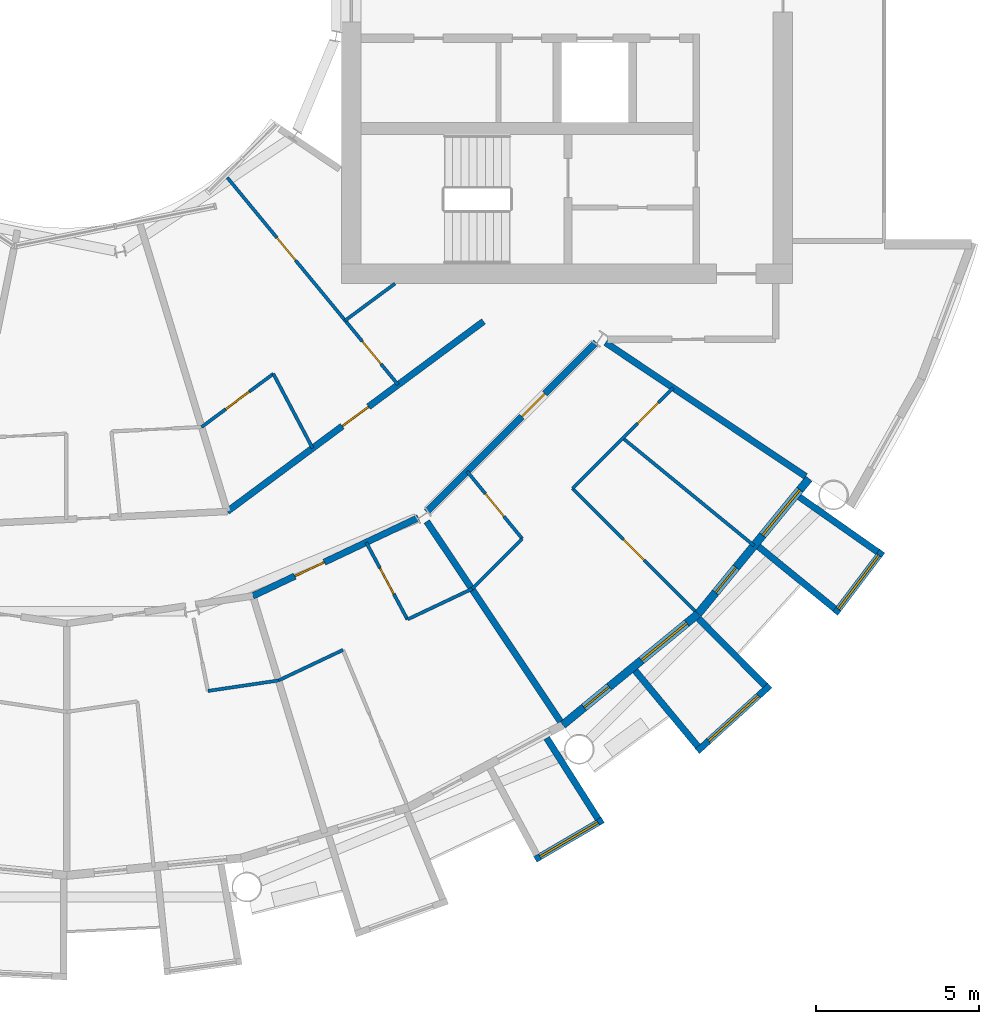
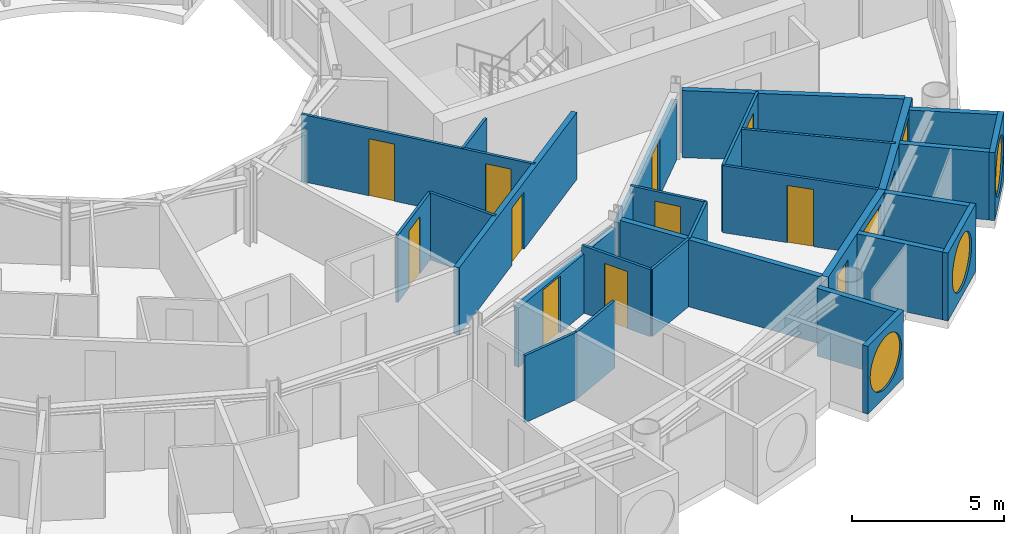
# One storey, part 17 of 27: 28 walls, 12 doors, 5 windows, 17 openings.
"""IFC4 building model written with IfcOpenShell, lengths in metres."""

from ifc_helpers import new_model, si_unit, direction, frame, frame_2d, origin, place, context, subcontext, project, spatial, rectangle, circle, extrude, material, layer, layer_set, type_object, element, fill, save


model = new_model("IFC4")

# Units and contexts
model_context = context("Model", 3, precision=1e-05, world=origin(), true_north=direction((0.0, 1.0)))
body_context = subcontext(model_context, "Body", "Model", "MODEL_VIEW")
ifc_project = project(units=[si_unit("LENGTHUNIT", "METRE"), si_unit("AREAUNIT", "SQUARE_METRE"), si_unit("VOLUMEUNIT", "CUBIC_METRE"), si_unit("PLANEANGLEUNIT", "RADIAN"), si_unit("MASSUNIT", "GRAM", prefix="KILO")], contexts=[model_context])

# Site, building, storey
site_placement = place(None, origin())
site = spatial("IfcSite", under=ifc_project, at=site_placement, CompositionType="ELEMENT")
building_placement = place(site_placement, origin())
building = spatial("IfcBuilding", under=site, at=building_placement, Name="Maasbend Ring Residences", CompositionType="ELEMENT")
storey_placement = place(building_placement, frame((0.0, 0.0, 126.89990234375)))
storey = spatial("IfcBuildingStorey", under=building, at=storey_placement, Name="L36", CompositionType="ELEMENT", Elevation=126.89990234375)

# Wall, opening, door
ifc_material_1 = material(Name="Concrete C30/37", Category="concrete")
ifc_layer_1 = layer(ifc_material_1, 0.199951171875)
ifc_layer_set_1 = layer_set([ifc_layer_1], Name="Concrete C30/37")
wall_type_1 = type_object("IfcWallType", Name="CORRIDOR WALL 200 CONCRETE", PredefinedType="PARTITIONING", material=ifc_layer_set_1)
wall_1_placement = place(storey_placement, frame((5.68994140625, -18.756103515625, 0.0), z_axis=(0.0, 0.0, 1.0), x_axis=(0.903968655954, 0.427598724335, 0.0)))
wall_1 = element("IfcWall", 1, at=wall_1_placement, inside=storey, type_object=wall_type_1, Name="U-L36-w020", PredefinedType="PARTITIONING", context=body_context, shape_type="SweptSolid", body=[
    extrude(rectangle(XDim=5.596435546875, YDim=0.199951171875, at=frame_2d((2.79833984375, 0.0))), origin(), (0.0, 0.0, 1.0), 2.39013671875),
])
opening_1_placement = place(wall_1_placement, frame((1.41796875, 0.0, 0.0)))
opening_1 = element("IfcOpeningElement", 2, at=opening_1_placement, cuts=wall_1, Name="Opening D-3645", PredefinedType="OPENING", context=body_context, shape_type="SweptSolid", body=[
    extrude(rectangle(XDim=1.0, YDim=2.300048828125, at=frame_2d((0.5, 1.14990234375))), frame((0.0, 0.10986328125, 0.0), z_axis=(0.0, -1.0, 0.0), x_axis=(1.0, 0.0, 0.0)), (0.0, 0.0, 1.0), 0.219970703125),
])
ifc_material_2 = material(Name="Timber, fire-rated, painted", Category="wood")
door_type_1 = type_object("IfcDoorType", Name="FLAT ENTRANCE DOOR 1000 X 2300 FIRE-RATED", OperationType="NOTDEFINED", PredefinedType="DOOR", material=ifc_material_2)
door_1_placement = place(opening_1_placement, origin())
door_1 = element("IfcDoor", 3, at=door_1_placement, inside=storey, type_object=door_type_1, Name="D-3645", OperationType="SINGLE_SWING_LEFT", OverallHeight=2.300048828125, OverallWidth=1.0, PredefinedType="DOOR", context=body_context, shape_type="SweptSolid", body=[
    extrude(rectangle(XDim=1.0, YDim=2.300048828125, at=frame_2d((0.5, 1.14990234375))), frame((0.0, 0.02490234375, 0.0), z_axis=(0.0, -1.0, 0.0), x_axis=(1.0, 0.0, 0.0)), (0.0, 0.0, 1.0), 0.050048828125),
])
fill(opening_1, door_1)

wall_2_placement = place(storey_placement, frame((11.0, -16.18603515625, 0.0), z_axis=(0.0, 0.0, 1.0), x_axis=(0.707106781187, 0.707106781187, 0.0)))
wall_2 = element("IfcWall", 4, at=wall_2_placement, inside=storey, type_object=wall_type_1, Name="U-L36-w022", PredefinedType="PARTITIONING", context=body_context, shape_type="SweptSolid", body=[
    extrude(rectangle(XDim=7.334228515625, YDim=0.199951171875, at=frame_2d((3.6669921875, 0.0))), origin(), (0.0, 0.0, 1.0), 2.39013671875),
])
opening_2_placement = place(wall_2_placement, frame((4.123046875, 0.0, 0.0)))
opening_2 = element("IfcOpeningElement", 5, at=opening_2_placement, cuts=wall_2, Name="Opening D-3648", PredefinedType="OPENING", context=body_context, shape_type="SweptSolid", body=[
    extrude(rectangle(XDim=1.0, YDim=2.300048828125, at=frame_2d((0.5, 1.14990234375))), frame((0.0, 0.10986328125, 0.0), z_axis=(0.0, -1.0, 0.0), x_axis=(1.0, 0.0, 0.0)), (0.0, 0.0, 1.0), 0.219970703125),
])
door_2_placement = place(opening_2_placement, origin())
door_2 = element("IfcDoor", 6, at=door_2_placement, inside=storey, type_object=door_type_1, Name="D-3648", OperationType="SINGLE_SWING_RIGHT", OverallHeight=2.300048828125, OverallWidth=1.0, PredefinedType="DOOR", context=body_context, shape_type="SweptSolid", body=[
    extrude(rectangle(XDim=1.0, YDim=2.300048828125, at=frame_2d((0.5, 1.14990234375))), frame((0.0, 0.02490234375, 0.0), z_axis=(0.0, -1.0, 0.0), x_axis=(1.0, 0.0, 0.0)), (0.0, 0.0, 1.0), 0.050048828125),
])
fill(opening_2, door_2)

wall_3_placement = place(storey_placement, frame((4.906005859375, -16.172119140625, 0.0), z_axis=(0.0, 0.0, 1.0), x_axis=(0.803191461888, 0.595720971219, 0.0)))
wall_3 = element("IfcWall", 7, at=wall_3_placement, inside=storey, type_object=wall_type_1, Name="U-L36-w024", PredefinedType="PARTITIONING", context=body_context, shape_type="SweptSolid", body=[
    extrude(rectangle(XDim=9.760009765625, YDim=0.199951171875, at=frame_2d((4.8798828125, 0.0))), origin(), (0.0, 0.0, 1.0), 2.7001953125),
])
opening_3_placement = place(wall_3_placement, frame((4.3798828125, 0.0, 0.0)))
opening_3 = element("IfcOpeningElement", 8, at=opening_3_placement, cuts=wall_3, Name="Opening D-3659", PredefinedType="OPENING", context=body_context, shape_type="SweptSolid", body=[
    extrude(rectangle(XDim=1.0, YDim=2.300048828125, at=frame_2d((0.5, 1.14990234375))), frame((0.0, 0.10986328125, 0.0), z_axis=(0.0, -1.0, 0.0), x_axis=(1.0, 0.0, 0.0)), (0.0, 0.0, 1.0), 0.219970703125),
])
door_3_placement = place(opening_3_placement, origin())
door_3 = element("IfcDoor", 9, at=door_3_placement, inside=storey, type_object=door_type_1, Name="D-3659", OperationType="SINGLE_SWING_LEFT", OverallHeight=2.300048828125, OverallWidth=1.0, PredefinedType="DOOR", context=body_context, shape_type="SweptSolid", body=[
    extrude(rectangle(XDim=1.0, YDim=2.300048828125, at=frame_2d((0.5, 1.14990234375))), frame((0.0, 0.02490234375, 0.0), z_axis=(0.0, -1.0, 0.0), x_axis=(1.0, 0.0, 0.0)), (0.0, 0.0, 1.0), 0.050048828125),
])
fill(opening_3, door_3)

# Wall, opening, window
ifc_material_3 = material(Name="Pale anodised aluminium panel", Category="aluminium")
ifc_layer_2 = layer(ifc_material_3, 0.199951171875)
ifc_layer_set_2 = layer_set([ifc_layer_2], Name="EW-BOX")
wall_type_2 = type_object("IfcWallType", Name="EW-BOX", PredefinedType="SOLIDWALL", material=ifc_layer_set_2)
wall_4_placement = place(storey_placement, frame((14.326904296875, -26.81201171875, -0.02978515625), z_axis=(0.0, 0.0, 1.0), x_axis=(0.862762477128, 0.505609442218, 0.0)))
wall_4 = element("IfcWall", 10, at=wall_4_placement, inside=storey, type_object=wall_type_2, Name="Box front S16", PredefinedType="SOLIDWALL", context=body_context, shape_type="SweptSolid", body=[
    extrude(rectangle(XDim=2.39111328125, YDim=0.199951171875, at=frame_2d((1.195556640625, 0.0))), origin(), (0.0, 0.0, 1.0), 2.72998046875),
])
opening_4_placement = place(wall_4_placement, frame((0.15576171875, 0.0, 0.330078125)))
opening_4 = element("IfcOpeningElement", 11, at=opening_4_placement, cuts=wall_4, Name="Opening W-RD", PredefinedType="OPENING", context=body_context, shape_type="SweptSolid", body=[
    extrude(circle(Radius=1.0400390625, at=frame_2d((1.0400390625, 1.0400390625))), frame((0.0, 0.10986328125, 0.0), z_axis=(0.0, -1.0, 0.0), x_axis=(1.0, 0.0, 0.0)), (0.0, 0.0, 1.0), 0.219970703125),
])
ifc_material_4 = material(Name="Aluminium and clear glass", Category="aluminium")
window_type_1 = type_object("IfcWindowType", Name="W-RD", PartitioningType="SINGLE_PANEL", PredefinedType="WINDOW", material=ifc_material_4)
window_1_placement = place(opening_4_placement, origin())
window_1 = element("IfcWindow", 12, at=window_1_placement, inside=storey, type_object=window_type_1, Name="Round window S16", OverallHeight=2.080078125, OverallWidth=2.080078125, PartitioningType="SINGLE_PANEL", PredefinedType="WINDOW", context=body_context, shape_type="SweptSolid", body=[
    extrude(circle(Radius=1.0400390625, at=frame_2d((1.0400390625, 1.0400390625))), frame((0.0, 0.030029296875, 0.0), z_axis=(0.0, -1.0, 0.0), x_axis=(1.0, 0.0, 0.0)), (0.0, 0.0, 1.0), 0.06005859375),
])
fill(opening_4, window_1)

# Wall
wall_5_placement = place(storey_placement, frame((14.677978515625, -23.10205078125, -0.02978515625), z_axis=(0.0, 0.0, 1.0), x_axis=(0.536001536573, -0.844217005746, 0.0)))
element("IfcWall", 13, at=wall_5_placement, inside=storey, type_object=wall_type_2, Name="Box side wall S16 right", PredefinedType="SOLIDWALL", context=body_context, shape_type="SweptSolid", body=[
    extrude(rectangle(XDim=2.92919921875, YDim=0.199951171875, at=frame_2d((1.464599609375, 0.0))), origin(), (0.0, 0.0, 1.0), 2.72998046875),
])

# Wall, opening, window
wall_6_placement = place(storey_placement, frame((19.281982421875, -23.5029296875, -0.02978515625), z_axis=(0.0, 0.0, 1.0), x_axis=(0.740998365753, 0.671506829416, 0.0)))
wall_6 = element("IfcWall", 14, at=wall_6_placement, inside=storey, type_object=wall_type_2, Name="Box front S18", PredefinedType="SOLIDWALL", context=body_context, shape_type="SweptSolid", body=[
    extrude(rectangle(XDim=2.9931640625, YDim=0.199951171875, at=frame_2d((1.49658203125, 0.0))), origin(), (0.0, 0.0, 1.0), 2.72998046875),
])
opening_5_placement = place(wall_6_placement, frame((0.45654296875, 0.0, 0.330078125)))
opening_5 = element("IfcOpeningElement", 15, at=opening_5_placement, cuts=wall_6, Name="Opening W-RD", PredefinedType="OPENING", context=body_context, shape_type="SweptSolid", body=[
    extrude(circle(Radius=1.0400390625, at=frame_2d((1.0400390625, 1.0400390625))), frame((0.0, 0.10986328125, 0.0), z_axis=(0.0, -1.0, 0.0), x_axis=(1.0, 0.0, 0.0)), (0.0, 0.0, 1.0), 0.219970703125),
])
window_2_placement = place(opening_5_placement, origin())
window_2 = element("IfcWindow", 16, at=window_2_placement, inside=storey, type_object=window_type_1, Name="Round window S18", OverallHeight=2.080078125, OverallWidth=2.080078125, PartitioningType="SINGLE_PANEL", PredefinedType="WINDOW", context=body_context, shape_type="SweptSolid", body=[
    extrude(circle(Radius=1.0400390625, at=frame_2d((1.0400390625, 1.0400390625))), frame((0.0, 0.030029296875, 0.0), z_axis=(0.0, -1.0, 0.0), x_axis=(1.0, 0.0, 0.0)), (0.0, 0.0, 1.0), 0.06005859375),
])
fill(opening_5, window_2)

# Walls
wall_7_placement = place(storey_placement, frame((17.384033203125, -21.041015625, -0.02978515625), z_axis=(0.0, 0.0, 1.0), x_axis=(0.63709551667, -0.770784861449, 0.0)))
element("IfcWall", 17, at=wall_7_placement, inside=storey, type_object=wall_type_2, Name="Box side wall S18 left", PredefinedType="SOLIDWALL", context=body_context, shape_type="SweptSolid", body=[
    extrude(rectangle(XDim=3.005859375, YDim=0.199951171875, at=frame_2d((1.5029296875, 0.0))), origin(), (0.0, 0.0, 1.0), 2.72998046875),
])
wall_8_placement = place(storey_placement, frame((19.322998046875, -19.449951171875, -0.02978515625), z_axis=(0.0, 0.0, 1.0), x_axis=(0.704476739375, -0.709727076896, 0.0)))
element("IfcWall", 18, at=wall_8_placement, inside=storey, type_object=wall_type_2, Name="Box side wall S18 right", PredefinedType="SOLIDWALL", context=body_context, shape_type="SweptSolid", body=[
    extrude(rectangle(XDim=2.883056640625, YDim=0.199951171875, at=frame_2d((1.44140625, 0.0))), origin(), (0.0, 0.0, 1.0), 2.72998046875),
])

# Wall, opening, window
wall_9_placement = place(storey_placement, frame((23.4970703125, -19.2890625, -0.02978515625), z_axis=(0.0, 0.0, 1.0), x_axis=(0.603375996329, 0.797456837111, 0.0)))
wall_9 = element("IfcWall", 19, at=wall_9_placement, inside=storey, type_object=wall_type_2, Name="Box front S20", PredefinedType="SOLIDWALL", context=body_context, shape_type="SweptSolid", body=[
    extrude(rectangle(XDim=2.391357421875, YDim=0.199951171875, at=frame_2d((1.19580078125, 0.0))), origin(), (0.0, 0.0, 1.0), 2.72998046875),
])
opening_6_placement = place(wall_9_placement, frame((0.15576171875, 0.0, 0.330078125)))
opening_6 = element("IfcOpeningElement", 20, at=opening_6_placement, cuts=wall_9, Name="Opening W-RD", PredefinedType="OPENING", context=body_context, shape_type="SweptSolid", body=[
    extrude(circle(Radius=1.0400390625, at=frame_2d((1.0400390625, 1.0400390625))), frame((0.0, 0.10986328125, 0.0), z_axis=(0.0, -1.0, 0.0), x_axis=(1.0, 0.0, 0.0)), (0.0, 0.0, 1.0), 0.219970703125),
])
window_3_placement = place(opening_6_placement, origin())
window_3 = element("IfcWindow", 21, at=window_3_placement, inside=storey, type_object=window_type_1, Name="Round window S20", OverallHeight=2.080078125, OverallWidth=2.080078125, PartitioningType="SINGLE_PANEL", PredefinedType="WINDOW", context=body_context, shape_type="SweptSolid", body=[
    extrude(circle(Radius=1.0400390625, at=frame_2d((1.0400390625, 1.0400390625))), frame((0.0, 0.030029296875, 0.0), z_axis=(0.0, -1.0, 0.0), x_axis=(1.0, 0.0, 0.0)), (0.0, 0.0, 1.0), 0.06005859375),
])
fill(opening_6, window_3)

# Walls
wall_10_placement = place(storey_placement, frame((21.155029296875, -17.24609375, -0.02978515625), z_axis=(0.0, 0.0, 1.0), x_axis=(0.775179004516, -0.631741648902, 0.0)))
element("IfcWall", 22, at=wall_10_placement, inside=storey, type_object=wall_type_2, Name="Box side wall S20 left", PredefinedType="SOLIDWALL", context=body_context, shape_type="SweptSolid", body=[
    extrude(rectangle(XDim=3.005859375, YDim=0.199951171875, at=frame_2d((1.5029296875, 0.0))), origin(), (0.0, 0.0, 1.0), 2.72998046875),
])
wall_11_placement = place(storey_placement, frame((22.402099609375, -15.72607421875, -0.02978515625), z_axis=(0.0, 0.0, 1.0), x_axis=(0.818275399393, -0.574826383135, 0.0)))
element("IfcWall", 23, at=wall_11_placement, inside=storey, type_object=wall_type_2, Name="Box side wall S20 right", PredefinedType="SOLIDWALL", context=body_context, shape_type="SweptSolid", body=[
    extrude(rectangle(XDim=2.92919921875, YDim=0.199951171875, at=frame_2d((1.464599609375, 0.0))), origin(), (0.0, 0.0, 1.0), 2.72998046875),
])

# Wall, openings, door, window
ifc_material_5 = material(Name="Aluminium clad insulated panel", Category="aluminium")
ifc_layer_3 = layer(ifc_material_5, 0.25)
ifc_layer_set_3 = layer_set([ifc_layer_3], Name="EW-GL")
wall_type_3 = type_object("IfcWallType", Name="EW-GL", PredefinedType="SOLIDWALL", material=ifc_layer_set_3)
wall_12_placement = place(storey_placement, frame((15.1669921875, -22.698974609375, 0.0), z_axis=(0.0, 0.0, 1.0), x_axis=(0.773019449054, 0.634382322723, 0.0)))
wall_12 = element("IfcWall", 24, at=wall_12_placement, inside=storey, type_object=wall_type_3, Name="External wall S09", PredefinedType="SOLIDWALL", context=body_context, shape_type="SweptSolid", body=[
    extrude(rectangle(XDim=5.351806640625, YDim=0.25, at=frame_2d((2.67578125, 0.0))), origin(), (0.0, 0.0, 1.0), 2.7001953125),
])
opening_7_placement = place(wall_12_placement, frame((0.841064453125, 0.0, 0.0)))
opening_7 = element("IfcOpeningElement", 25, at=opening_7_placement, cuts=wall_12, Name="Opening D-LG", PredefinedType="OPENING", context=body_context, shape_type="SweptSolid", body=[
    extrude(rectangle(XDim=1.0, YDim=2.199951171875, at=frame_2d((0.5, 1.10009765625))), frame((0.0, 0.135009765625, 0.0), z_axis=(0.0, -1.0, 0.0), x_axis=(1.0, 0.0, 0.0)), (0.0, 0.0, 1.0), 0.27001953125),
])
opening_8_placement = place(wall_12_placement, frame((3.110595703125, 0.0, 0.300048828125)))
opening_8 = element("IfcOpeningElement", 26, at=opening_8_placement, cuts=wall_12, Name="Opening W-BX", PredefinedType="OPENING", context=body_context, shape_type="SweptSolid", body=[
    extrude(rectangle(XDim=1.800048828125, YDim=2.10009765625, at=frame_2d((0.89990234375, 1.050048828125))), frame((0.0, 0.135009765625, 0.0), z_axis=(0.0, -1.0, 0.0), x_axis=(1.0, 0.0, 0.0)), (0.0, 0.0, 1.0), 0.27001953125),
])
ifc_material_6 = material(Name="Aluminium and clear glass", Category="aluminium")
door_type_2 = type_object("IfcDoorType", Name="D-LG", OperationType="SINGLE_SWING_LEFT", PredefinedType="DOOR", material=ifc_material_6)
door_4_placement = place(opening_7_placement, origin())
door_4 = element("IfcDoor", 27, at=door_4_placement, inside=storey, type_object=door_type_2, Name="Loggia door S17", OperationType="SINGLE_SWING_LEFT", OverallHeight=2.199951171875, OverallWidth=1.0, PredefinedType="DOOR", context=body_context, shape_type="SweptSolid", body=[
    extrude(rectangle(XDim=1.0, YDim=2.199951171875, at=frame_2d((0.5, 1.10009765625))), frame((0.0, 0.02490234375, 0.0), z_axis=(0.0, -1.0, 0.0), x_axis=(1.0, 0.0, 0.0)), (0.0, 0.0, 1.0), 0.050048828125),
])
fill(opening_7, door_4)
ifc_material_7 = material(Name="Aluminium and clear glass", Category="aluminium")
window_type_2 = type_object("IfcWindowType", Name="W-BX", PartitioningType="DOUBLE_PANEL_VERTICAL", PredefinedType="WINDOW", material=ifc_material_7)
window_4_placement = place(opening_8_placement, origin())
window_4 = element("IfcWindow", 28, at=window_4_placement, inside=storey, type_object=window_type_2, Name="Window S18 room to box", OverallHeight=2.10009765625, OverallWidth=1.800048828125, PartitioningType="SINGLE_PANEL", PredefinedType="WINDOW", context=body_context, shape_type="SweptSolid", body=[
    extrude(rectangle(XDim=1.800048828125, YDim=2.10009765625, at=frame_2d((0.89990234375, 1.050048828125))), frame((0.0, 0.030029296875, 0.0), z_axis=(0.0, -1.0, 0.0), x_axis=(1.0, 0.0, 0.0)), (0.0, 0.0, 1.0), 0.06005859375),
])
fill(opening_8, window_4)

wall_13_placement = place(storey_placement, frame((19.303955078125, -19.303955078125, 0.0), z_axis=(0.0, 0.0, 1.0), x_axis=(0.634382322723, 0.773019449054, 0.0)))
wall_13 = element("IfcWall", 29, at=wall_13_placement, inside=storey, type_object=wall_type_3, Name="External wall S10", PredefinedType="SOLIDWALL", context=body_context, shape_type="SweptSolid", body=[
    extrude(rectangle(XDim=5.351806640625, YDim=0.25, at=frame_2d((2.67578125, 0.0))), origin(), (0.0, 0.0, 1.0), 2.7001953125),
])
opening_9_placement = place(wall_13_placement, frame((0.841064453125, 0.0, 0.0)))
opening_9 = element("IfcOpeningElement", 30, at=opening_9_placement, cuts=wall_13, Name="Opening D-LG", PredefinedType="OPENING", context=body_context, shape_type="SweptSolid", body=[
    extrude(rectangle(XDim=1.0, YDim=2.199951171875, at=frame_2d((0.5, 1.10009765625))), frame((0.0, 0.135009765625, 0.0), z_axis=(0.0, -1.0, 0.0), x_axis=(1.0, 0.0, 0.0)), (0.0, 0.0, 1.0), 0.27001953125),
])
opening_10_placement = place(wall_13_placement, frame((3.110595703125, 0.0, 0.300048828125)))
opening_10 = element("IfcOpeningElement", 31, at=opening_10_placement, cuts=wall_13, Name="Opening W-BX", PredefinedType="OPENING", context=body_context, shape_type="SweptSolid", body=[
    extrude(rectangle(XDim=1.800048828125, YDim=2.10009765625, at=frame_2d((0.89990234375, 1.050048828125))), frame((0.0, 0.135009765625, 0.0), z_axis=(0.0, -1.0, 0.0), x_axis=(1.0, 0.0, 0.0)), (0.0, 0.0, 1.0), 0.27001953125),
])
door_5_placement = place(opening_9_placement, origin())
door_5 = element("IfcDoor", 32, at=door_5_placement, inside=storey, type_object=door_type_2, Name="Loggia door S19", OperationType="SINGLE_SWING_LEFT", OverallHeight=2.199951171875, OverallWidth=1.0, PredefinedType="DOOR", context=body_context, shape_type="SweptSolid", body=[
    extrude(rectangle(XDim=1.0, YDim=2.199951171875, at=frame_2d((0.5, 1.10009765625))), frame((0.0, 0.02490234375, 0.0), z_axis=(0.0, -1.0, 0.0), x_axis=(1.0, 0.0, 0.0)), (0.0, 0.0, 1.0), 0.050048828125),
])
fill(opening_9, door_5)
window_5_placement = place(opening_10_placement, origin())
window_5 = element("IfcWindow", 33, at=window_5_placement, inside=storey, type_object=window_type_2, Name="Window S20 room to box", OverallHeight=2.10009765625, OverallWidth=1.800048828125, PartitioningType="SINGLE_PANEL", PredefinedType="WINDOW", context=body_context, shape_type="SweptSolid", body=[
    extrude(rectangle(XDim=1.800048828125, YDim=2.10009765625, at=frame_2d((0.89990234375, 1.050048828125))), frame((0.0, 0.030029296875, 0.0), z_axis=(0.0, -1.0, 0.0), x_axis=(1.0, 0.0, 0.0)), (0.0, 0.0, 1.0), 0.06005859375),
])
fill(opening_10, window_5)

# Walls
ifc_material_8 = material(Name="Gypsum board on steel studs", Category="steel")
ifc_layer_4 = layer(ifc_material_8, 0.10009765625)
ifc_layer_set_4 = layer_set([ifc_layer_4], Name="PARTITION 100 GYPSUM")
wall_type_4 = type_object("IfcWallType", Name="PARTITION 100 GYPSUM", PredefinedType="PARTITIONING", material=ifc_layer_set_4)
wall_14_placement = place(storey_placement, frame((4.31591796875, -21.659912109375, 0.0), z_axis=(0.0, 0.0, 1.0), x_axis=(0.989185420695, 0.146670390618, 0.0)))
element("IfcWall", 34, at=wall_14_placement, inside=storey, type_object=wall_type_4, Name="U-L36-w006", PredefinedType="PARTITIONING", context=body_context, shape_type="SweptSolid", body=[
    extrude(rectangle(XDim=2.1806640625, YDim=0.10009765625, at=frame_2d((1.09033203125, 0.0))), origin(), (0.0, 0.0, 1.0), 2.7001953125),
])
wall_15_placement = place(storey_placement, frame((6.472900390625, -21.340087890625, 0.0), z_axis=(0.0, 0.0, 1.0), x_axis=(0.903929143338, 0.427682246328, 0.0)))
element("IfcWall", 35, at=wall_15_placement, inside=storey, type_object=wall_type_4, Name="U-L36-w007", PredefinedType="PARTITIONING", context=body_context, shape_type="SweptSolid", body=[
    extrude(rectangle(XDim=2.181884765625, YDim=0.10009765625, at=frame_2d((1.0908203125, 0.0))), origin(), (0.0, 0.0, 1.0), 2.7001953125),
])
wall_16_placement = place(storey_placement, frame((10.425048828125, -19.469970703125, 0.0), z_axis=(0.0, 0.0, 1.0), x_axis=(0.903951937529, 0.427634066274, 0.0)))
element("IfcWall", 36, at=wall_16_placement, inside=storey, type_object=wall_type_4, Name="U-L36-w008", PredefinedType="PARTITIONING", context=body_context, shape_type="SweptSolid", body=[
    extrude(rectangle(XDim=2.181396484375, YDim=0.10009765625, at=frame_2d((1.0908203125, 0.0))), origin(), (0.0, 0.0, 1.0), 2.7001953125),
])
wall_17_placement = place(storey_placement, frame((12.388916015625, -18.5419921875, 0.0), z_axis=(0.0, 0.0, 1.0), x_axis=(0.707106781187, 0.707106781187, 0.0)))
element("IfcWall", 37, at=wall_17_placement, inside=storey, type_object=wall_type_4, Name="U-L36-w011", PredefinedType="PARTITIONING", context=body_context, shape_type="SweptSolid", body=[
    extrude(rectangle(XDim=2.17529296875, YDim=0.10009765625, at=frame_2d((1.087646484375, 0.0))), origin(), (0.0, 0.0, 1.0), 2.7001953125),
])

# Wall, opening, door
wall_18_placement = place(storey_placement, frame((15.468017578125, -15.462890625, 0.0), z_axis=(0.0, 0.0, 1.0), x_axis=(0.707106781187, 0.707106781187, 0.0)))
wall_18 = element("IfcWall", 38, at=wall_18_placement, inside=storey, type_object=wall_type_4, Name="U-L36-w012", PredefinedType="PARTITIONING", context=body_context, shape_type="SweptSolid", body=[
    extrude(rectangle(XDim=4.351318359375, YDim=0.10009765625, at=frame_2d((2.17578125, 0.0))), origin(), (0.0, 0.0, 1.0), 2.7001953125),
])
opening_11_placement = place(wall_18_placement, frame((2.80810546875, 0.0, 0.0)))
opening_11 = element("IfcOpeningElement", 39, at=opening_11_placement, cuts=wall_18, Name="Opening D-3651", PredefinedType="OPENING", context=body_context, shape_type="SweptSolid", body=[
    extrude(rectangle(XDim=0.89990234375, YDim=2.300048828125, at=frame_2d((0.449951171875, 1.14990234375))), frame((0.0, 0.06005859375, 0.0), z_axis=(0.0, -1.0, 0.0), x_axis=(1.0, 0.0, 0.0)), (0.0, 0.0, 1.0), 0.1201171875),
])
ifc_material_9 = material(Name="Timber, painted", Category="wood")
door_type_3 = type_object("IfcDoorType", Name="INTERNAL DOOR 900 X 2300", OperationType="NOTDEFINED", PredefinedType="DOOR", material=ifc_material_9)
door_6_placement = place(opening_11_placement, origin())
door_6 = element("IfcDoor", 40, at=door_6_placement, inside=storey, type_object=door_type_3, Name="D-3651", OperationType="SINGLE_SWING_RIGHT", OverallHeight=2.300048828125, OverallWidth=0.89990234375, PredefinedType="DOOR", context=body_context, shape_type="SweptSolid", body=[
    extrude(rectangle(XDim=0.89990234375, YDim=2.300048828125, at=frame_2d((0.449951171875, 1.14990234375))), frame((0.0, 0.02490234375, 0.0), z_axis=(0.0, -1.0, 0.0), x_axis=(1.0, 0.0, 0.0)), (0.0, 0.0, 1.0), 0.050048828125),
])
fill(opening_11, door_6)

wall_19_placement = place(storey_placement, frame((4.1220703125, -13.589111328125, 0.0), z_axis=(0.0, 0.0, 1.0), x_axis=(0.803128348509, 0.595806055542, 0.0)))
wall_19 = element("IfcWall", 41, at=wall_19_placement, inside=storey, type_object=wall_type_4, Name="U-L36-w028", PredefinedType="PARTITIONING", context=body_context, shape_type="SweptSolid", body=[
    extrude(rectangle(XDim=2.734375, YDim=0.10009765625, at=frame_2d((1.3671875, 0.0))), origin(), (0.0, 0.0, 1.0), 2.7001953125),
])
opening_12_placement = place(wall_19_placement, frame((0.9169921875, 0.0, 0.0)))
opening_12 = element("IfcOpeningElement", 42, at=opening_12_placement, cuts=wall_19, Name="Opening D-3660", PredefinedType="OPENING", context=body_context, shape_type="SweptSolid", body=[
    extrude(rectangle(XDim=0.89990234375, YDim=2.300048828125, at=frame_2d((0.449951171875, 1.14990234375))), frame((0.0, 0.06005859375, 0.0), z_axis=(0.0, -1.0, 0.0), x_axis=(1.0, 0.0, 0.0)), (0.0, 0.0, 1.0), 0.1201171875),
])
door_7_placement = place(opening_12_placement, origin())
door_7 = element("IfcDoor", 43, at=door_7_placement, inside=storey, type_object=door_type_3, Name="D-3660", OperationType="SINGLE_SWING_RIGHT", OverallHeight=2.300048828125, OverallWidth=0.89990234375, PredefinedType="DOOR", context=body_context, shape_type="SweptSolid", body=[
    extrude(rectangle(XDim=0.89990234375, YDim=2.300048828125, at=frame_2d((0.449951171875, 1.14990234375))), frame((0.0, 0.02490234375, 0.0), z_axis=(0.0, -1.0, 0.0), x_axis=(1.0, 0.0, 0.0)), (0.0, 0.0, 1.0), 0.050048828125),
])
fill(opening_12, door_7)

# Wall
wall_20_placement = place(storey_placement, frame((8.512939453125, -10.33203125, 0.0), z_axis=(0.0, 0.0, 1.0), x_axis=(0.803149591038, 0.595777420196, 0.0)))
element("IfcWall", 44, at=wall_20_placement, inside=storey, type_object=wall_type_4, Name="U-L36-w029", PredefinedType="PARTITIONING", context=body_context, shape_type="SweptSolid", body=[
    extrude(rectangle(XDim=1.900146484375, YDim=0.10009765625, at=frame_2d((0.9501953125, 0.0))), origin(), (0.0, 0.0, 1.0), 2.7001953125),
])

# Wall, openings, doors
wall_21_placement = place(storey_placement, frame((4.907958984375, -5.958984375, 0.0), z_axis=(0.0, 0.0, 1.0), x_axis=(0.636105207978, -0.771602335652, 0.0)))
wall_21 = element("IfcWall", 45, at=wall_21_placement, inside=storey, type_object=wall_type_4, Name="U-L36-w076", PredefinedType="PARTITIONING", context=body_context, shape_type="SweptSolid", body=[
    extrude(rectangle(XDim=8.212646484375, YDim=0.10009765625, at=frame_2d((4.1064453125, 0.0))), origin(), (0.0, 0.0, 1.0), 2.7001953125),
])
opening_13_placement = place(wall_21_placement, frame((6.489990234375, 0.0, 0.0)))
opening_13 = element("IfcOpeningElement", 46, at=opening_13_placement, cuts=wall_21, Name="Opening D-3661", PredefinedType="OPENING", context=body_context, shape_type="SweptSolid", body=[
    extrude(rectangle(XDim=0.89990234375, YDim=2.300048828125, at=frame_2d((0.449951171875, 1.14990234375))), frame((0.0, 0.06005859375, 0.0), z_axis=(0.0, -1.0, 0.0), x_axis=(1.0, 0.0, 0.0)), (0.0, 0.0, 1.0), 0.1201171875),
])
opening_14_placement = place(wall_21_placement, frame((2.384033203125, 0.0, 0.0)))
opening_14 = element("IfcOpeningElement", 47, at=opening_14_placement, cuts=wall_21, Name="Opening D-3662", PredefinedType="OPENING", context=body_context, shape_type="SweptSolid", body=[
    extrude(rectangle(XDim=0.89990234375, YDim=2.300048828125, at=frame_2d((0.449951171875, 1.14990234375))), frame((0.0, 0.06005859375, 0.0), z_axis=(0.0, -1.0, 0.0), x_axis=(1.0, 0.0, 0.0)), (0.0, 0.0, 1.0), 0.1201171875),
])
door_8_placement = place(opening_13_placement, origin())
door_8 = element("IfcDoor", 48, at=door_8_placement, inside=storey, type_object=door_type_3, Name="D-3661", OperationType="SINGLE_SWING_RIGHT", OverallHeight=2.300048828125, OverallWidth=0.89990234375, PredefinedType="DOOR", context=body_context, shape_type="SweptSolid", body=[
    extrude(rectangle(XDim=0.89990234375, YDim=2.300048828125, at=frame_2d((0.449951171875, 1.14990234375))), frame((0.0, 0.02490234375, 0.0), z_axis=(0.0, -1.0, 0.0), x_axis=(1.0, 0.0, 0.0)), (0.0, 0.0, 1.0), 0.050048828125),
])
fill(opening_13, door_8)
door_9_placement = place(opening_14_placement, origin())
door_9 = element("IfcDoor", 49, at=door_9_placement, inside=storey, type_object=door_type_3, Name="D-3662", OperationType="SINGLE_SWING_LEFT", OverallHeight=2.300048828125, OverallWidth=0.89990234375, PredefinedType="DOOR", context=body_context, shape_type="SweptSolid", body=[
    extrude(rectangle(XDim=0.89990234375, YDim=2.300048828125, at=frame_2d((0.449951171875, 1.14990234375))), frame((0.0, 0.02490234375, 0.0), z_axis=(0.0, -1.0, 0.0), x_axis=(1.0, 0.0, 0.0)), (0.0, 0.0, 1.0), 0.050048828125),
])
fill(opening_14, door_9)

# Wall
wall_22_placement = place(storey_placement, frame((6.31591796875, -11.9609375, 0.0), z_axis=(0.0, 0.0, 1.0), x_axis=(0.467037016128, -0.884237765291, 0.0)))
element("IfcWall", 50, at=wall_22_placement, inside=storey, type_object=wall_type_4, Name="U-L36-w079", PredefinedType="PARTITIONING", context=body_context, shape_type="SweptSolid", body=[
    extrude(rectangle(XDim=2.57177734375, YDim=0.10009765625, at=frame_2d((1.285888671875, 0.0))), origin(), (0.0, 0.0, 1.0), 2.7001953125),
])

# Wall, opening, door
wall_23_placement = place(storey_placement, frame((9.156005859375, -17.116943359375, 0.0), z_axis=(0.0, 0.0, 1.0), x_axis=(0.471701791767, -0.881758141241, 0.0)))
wall_23 = element("IfcWall", 51, at=wall_23_placement, inside=storey, type_object=wall_type_4, Name="U-L36-w084", PredefinedType="PARTITIONING", context=body_context, shape_type="SweptSolid", body=[
    extrude(rectangle(XDim=2.67333984375, YDim=0.10009765625, at=frame_2d((1.336669921875, 0.0))), origin(), (0.0, 0.0, 1.0), 2.7001953125),
])
opening_15_placement = place(wall_23_placement, frame((0.886962890625, 0.0, 0.0)))
opening_15 = element("IfcOpeningElement", 52, at=opening_15_placement, cuts=wall_23, Name="Opening D-3646", PredefinedType="OPENING", context=body_context, shape_type="SweptSolid", body=[
    extrude(rectangle(XDim=0.89990234375, YDim=2.300048828125, at=frame_2d((0.449951171875, 1.14990234375))), frame((0.0, 0.06005859375, 0.0), z_axis=(0.0, -1.0, 0.0), x_axis=(1.0, 0.0, 0.0)), (0.0, 0.0, 1.0), 0.1201171875),
])
door_10_placement = place(opening_15_placement, origin())
door_10 = element("IfcDoor", 53, at=door_10_placement, inside=storey, type_object=door_type_3, Name="D-3646", OperationType="SINGLE_SWING_LEFT", OverallHeight=2.300048828125, OverallWidth=0.89990234375, PredefinedType="DOOR", context=body_context, shape_type="SweptSolid", body=[
    extrude(rectangle(XDim=0.89990234375, YDim=2.300048828125, at=frame_2d((0.449951171875, 1.14990234375))), frame((0.0, 0.02490234375, 0.0), z_axis=(0.0, -1.0, 0.0), x_axis=(1.0, 0.0, 0.0)), (0.0, 0.0, 1.0), 0.050048828125),
])
fill(opening_15, door_10)

wall_24_placement = place(storey_placement, frame((12.240966796875, -14.945068359375, 0.0), z_axis=(0.0, 0.0, 1.0), x_axis=(0.633582447834, -0.77367517848, 0.0)))
wall_24 = element("IfcWall", 54, at=wall_24_placement, inside=storey, type_object=wall_type_4, Name="U-L36-w088", PredefinedType="PARTITIONING", context=body_context, shape_type="SweptSolid", body=[
    extrude(rectangle(XDim=2.6611328125, YDim=0.10009765625, at=frame_2d((1.33056640625, 0.0))), origin(), (0.0, 0.0, 1.0), 2.7001953125),
])
opening_16_placement = place(wall_24_placement, frame((0.881103515625, 0.0, 0.0)))
opening_16 = element("IfcOpeningElement", 55, at=opening_16_placement, cuts=wall_24, Name="Opening D-3649", PredefinedType="OPENING", context=body_context, shape_type="SweptSolid", body=[
    extrude(rectangle(XDim=0.89990234375, YDim=2.300048828125, at=frame_2d((0.449951171875, 1.14990234375))), frame((0.0, 0.06005859375, 0.0), z_axis=(0.0, -1.0, 0.0), x_axis=(1.0, 0.0, 0.0)), (0.0, 0.0, 1.0), 0.1201171875),
])
door_11_placement = place(opening_16_placement, origin())
door_11 = element("IfcDoor", 56, at=door_11_placement, inside=storey, type_object=door_type_3, Name="D-3649", OperationType="SINGLE_SWING_LEFT", OverallHeight=2.300048828125, OverallWidth=0.89990234375, PredefinedType="DOOR", context=body_context, shape_type="SweptSolid", body=[
    extrude(rectangle(XDim=0.89990234375, YDim=2.300048828125, at=frame_2d((0.449951171875, 1.14990234375))), frame((0.0, 0.02490234375, 0.0), z_axis=(0.0, -1.0, 0.0), x_axis=(1.0, 0.0, 0.0)), (0.0, 0.0, 1.0), 0.050048828125),
])
fill(opening_16, door_11)

wall_25_placement = place(storey_placement, frame((15.465087890625, -15.465087890625, 0.0), z_axis=(0.0, 0.0, 1.0), x_axis=(0.707106781187, -0.707106781187, 0.0)))
wall_25 = element("IfcWall", 57, at=wall_25_placement, inside=storey, type_object=wall_type_4, Name="U-L36-w091", PredefinedType="PARTITIONING", context=body_context, shape_type="SweptSolid", body=[
    extrude(rectangle(XDim=5.3046875, YDim=0.10009765625, at=frame_2d((2.65234375, 0.0))), origin(), (0.0, 0.0, 1.0), 2.7001953125),
])
opening_17_placement = place(wall_25_placement, frame((2.201904296875, 0.0, 0.0)))
opening_17 = element("IfcOpeningElement", 58, at=opening_17_placement, cuts=wall_25, Name="Opening D-3650", PredefinedType="OPENING", context=body_context, shape_type="SweptSolid", body=[
    extrude(rectangle(XDim=0.89990234375, YDim=2.300048828125, at=frame_2d((0.449951171875, 1.14990234375))), frame((0.0, 0.06005859375, 0.0), z_axis=(0.0, -1.0, 0.0), x_axis=(1.0, 0.0, 0.0)), (0.0, 0.0, 1.0), 0.1201171875),
])
door_12_placement = place(opening_17_placement, origin())
door_12 = element("IfcDoor", 59, at=door_12_placement, inside=storey, type_object=door_type_3, Name="D-3650", OperationType="SINGLE_SWING_RIGHT", OverallHeight=2.300048828125, OverallWidth=0.89990234375, PredefinedType="DOOR", context=body_context, shape_type="SweptSolid", body=[
    extrude(rectangle(XDim=0.89990234375, YDim=2.300048828125, at=frame_2d((0.449951171875, 1.14990234375))), frame((0.0, 0.02490234375, 0.0), z_axis=(0.0, -1.0, 0.0), x_axis=(1.0, 0.0, 0.0)), (0.0, 0.0, 1.0), 0.050048828125),
])
fill(opening_17, door_12)

# Walls
wall_26_placement = place(storey_placement, frame((17.00390625, -13.927001953125, 0.0), z_axis=(0.0, 0.0, 1.0), x_axis=(0.773517471898, -0.633774976367, 0.0)))
element("IfcWall", 60, at=wall_26_placement, inside=storey, type_object=wall_type_4, Name="U-L36-w094", PredefinedType="PARTITIONING", context=body_context, shape_type="SweptSolid", body=[
    extrude(rectangle(XDim=5.19580078125, YDim=0.10009765625, at=frame_2d((2.597900390625, 0.0))), origin(), (0.0, 0.0, 1.0), 2.7001953125),
])
ifc_material_10 = material(Name="Concrete C30/37", Category="concrete")
ifc_layer_5 = layer(ifc_material_10, 0.199951171875)
ifc_layer_set_5 = layer_set([ifc_layer_5], Name="Concrete C30/37")
wall_type_5 = type_object("IfcWallType", Name="PARTY WALL 200 CONCRETE", PredefinedType="PARTITIONING", material=ifc_layer_set_5)
wall_27_placement = place(storey_placement, frame((11.009033203125, -16.47705078125, 0.0), z_axis=(0.0, 0.0, 1.0), x_axis=(0.555664536482, -0.831406593008, 0.0)))
element("IfcWall", 61, at=wall_27_placement, inside=storey, type_object=wall_type_5, Name="U-L36-w086", PredefinedType="PARTITIONING", context=body_context, shape_type="SweptSolid", body=[
    extrude(rectangle(XDim=7.3583984375, YDim=0.199951171875, at=frame_2d((3.67919921875, 0.0))), origin(), (0.0, 0.0, 1.0), 2.7001953125),
])
wall_28_placement = place(storey_placement, frame((16.47705078125, -11.009033203125, 0.0), z_axis=(0.0, 0.0, 1.0), x_axis=(0.831467903109, -0.555572791, 0.0)))
element("IfcWall", 62, at=wall_28_placement, inside=storey, type_object=wall_type_5, Name="U-L36-w092", PredefinedType="PARTITIONING", context=body_context, shape_type="SweptSolid", body=[
    extrude(rectangle(XDim=7.35791015625, YDim=0.199951171875, at=frame_2d((3.678955078125, 0.0))), origin(), (0.0, 0.0, 1.0), 2.7001953125),
])

save(model, "model.ifc")
